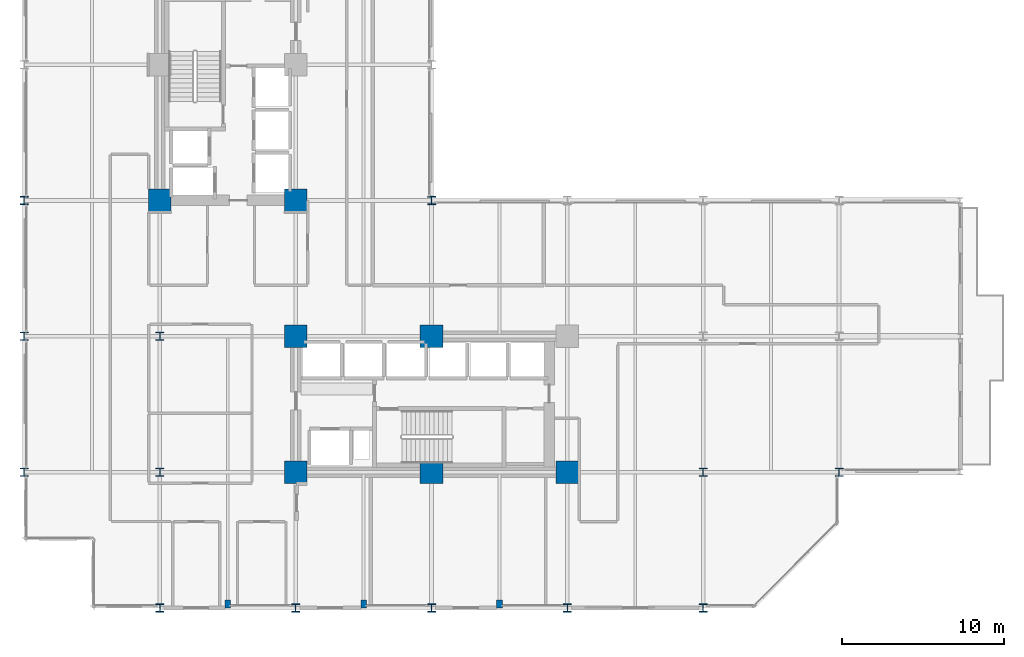
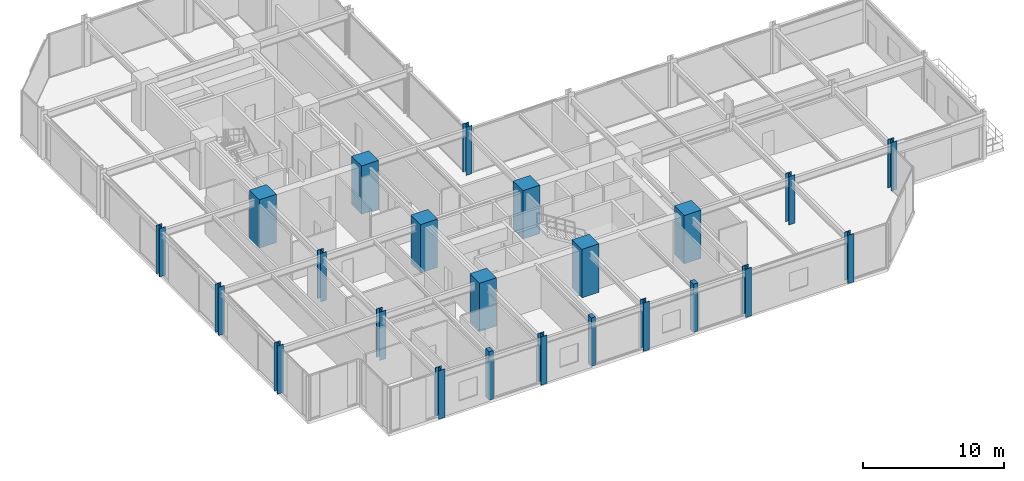
# One storey, part 1 of 26: 23 columns.
"""IFC4 building model written with IfcOpenShell, lengths in metres."""

from ifc_helpers import new_model, si_unit, direction, frame, origin, origin_2d, place, context, subcontext, project, spatial, rectangle, i_section, extrude, material, material_profile, profile_set, type_object, element, save


model = new_model("IFC4")

# Units and contexts
model_context = context("Model", 3, precision=1e-05, world=origin(), true_north=direction((0.0, 1.0)))
body_context = subcontext(model_context, "Body", "Model", "MODEL_VIEW")
ifc_project = project(units=[si_unit("LENGTHUNIT", "METRE"), si_unit("AREAUNIT", "SQUARE_METRE"), si_unit("VOLUMEUNIT", "CUBIC_METRE"), si_unit("PLANEANGLEUNIT", "RADIAN"), si_unit("MASSUNIT", "GRAM", prefix="KILO")], contexts=[model_context])

# Site, building, storey
site_placement = place(None, origin())
site = spatial("IfcSite", under=ifc_project, at=site_placement, CompositionType="ELEMENT")
building_placement = place(site_placement, origin())
building = spatial("IfcBuilding", under=site, at=building_placement, Name="Nerrivon Quay Data Exchange", CompositionType="ELEMENT")
storey_placement = place(building_placement, frame((0.0, 0.0, 75.199951171875)))
storey = spatial("IfcBuildingStorey", under=building, at=storey_placement, Name="L17", CompositionType="ELEMENT", Elevation=75.199951171875)

# Columns
ifc_material_1 = material(Name="Concrete N80 (80 MPa)", Category="concrete")
ifc_material_profile_1 = material_profile(ifc_material_1, rectangle(XDim=1.39990234375, YDim=1.39990234375, at=origin_2d()), Name="RC-COL-1400x1400")
ifc_profile_set_1 = profile_set([ifc_material_profile_1], Name="Concrete N80 (80 MPa)")
column_type_1 = type_object("IfcColumnType", Name="COL-C2-1400", PredefinedType="COLUMN", material=ifc_profile_set_1)
for number, where, z_axis, x_axis, name in (
    (1, (8.39990234375, 25.199951171875, 0.0), (0.0, 0.0, 1.0), (1.0, 0.0, 0.0), "L17 Column (8.4,25.2)"),
    (2, (16.800048828125, 8.39990234375, 0.0), (0.0, 0.0, 1.0), (1.0, 0.0, 0.0), "L17 Column (16.8,8.4)"),
    (3, (16.800048828125, 16.800048828125, 0.0), (0.0, 0.0, 1.0), (1.0, 0.0, 0.0), "L17 Column (16.8,16.8)"),
    (4, (16.800048828125, 25.199951171875, 0.0), (0.0, 0.0, 1.0), (1.0, 0.0, 0.0), "L17 Column (16.8,25.2)"),
    (5, (25.199951171875, 8.39990234375, 0.0), (0.0, 0.0, 1.0), (1.0, 0.0, 0.0), "L17 Column (25.2,8.4)"),
    (6, (25.199951171875, 16.800048828125, 0.0), (0.0, 0.0, 1.0), (1.0, 0.0, 0.0), "L17 Column (25.2,16.8)"),
    (7, (33.60009765625, 8.39990234375, 0.0), (0.0, 0.0, 1.0), (1.0, 0.0, 0.0), "L17 Column (33.6,8.4)"),
):
    element("IfcColumn", number, at=place(storey_placement, frame(where, z_axis=z_axis, x_axis=x_axis)), inside=storey, type_object=column_type_1, Name=name, PredefinedType="COLUMN", context=body_context, shape_type="SweptSolid", body=[
        extrude(rectangle(XDim=1.39990234375, YDim=1.39990234375, at=origin_2d()), origin(), (0.0, 0.0, 1.0), 4.199951171875),
    ])
ifc_material_2 = material(Name="Steel Grade 350", Category="steel")
ifc_material_profile_2 = material_profile(ifc_material_2, i_section(OverallWidth=0.5, OverallDepth=0.5, WebThickness=0.028076171875, FlangeThickness=0.0400390625, at=origin_2d()), Name="500WC440")
ifc_profile_set_2 = profile_set([ifc_material_profile_2], Name="Steel Grade 350")
column_type_2 = type_object("IfcColumnType", Name="COL-SC1-500WC", PredefinedType="COLUMN", material=ifc_profile_set_2)
for number, where, z_axis, x_axis, name in (
    (8, (0.0, 8.39990234375, 0.0), (0.0, 0.0, 1.0), (1.0, 0.0, 0.0), "L17 Column (0.0,8.4)"),
    (9, (0.0, 16.800048828125, 0.0), (0.0, 0.0, 1.0), (1.0, 0.0, 0.0), "L17 Column (0.0,16.8)"),
    (10, (0.0, 25.199951171875, 0.0), (0.0, 0.0, 1.0), (1.0, 0.0, 0.0), "L17 Column (0.0,25.2)"),
    (11, (8.39990234375, 0.0, 0.0), (0.0, 0.0, 1.0), (1.0, 0.0, 0.0), "L17 Column (8.4,0.0)"),
    (12, (8.39990234375, 8.39990234375, 0.0), (0.0, 0.0, 1.0), (1.0, 0.0, 0.0), "L17 Column (8.4,8.4)"),
    (13, (8.39990234375, 16.800048828125, 0.0), (0.0, 0.0, 1.0), (1.0, 0.0, 0.0), "L17 Column (8.4,16.8)"),
    (14, (16.800048828125, 0.0, 0.0), (0.0, 0.0, 1.0), (1.0, 0.0, 0.0), "L17 Column (16.8,0.0)"),
    (15, (25.199951171875, 0.0, 0.0), (0.0, 0.0, 1.0), (1.0, 0.0, 0.0), "L17 Column (25.2,0.0)"),
    (16, (25.199951171875, 25.199951171875, 0.0), (0.0, 0.0, 1.0), (1.0, 0.0, 0.0), "L17 Column (25.2,25.2)"),
    (17, (33.60009765625, 0.0, 0.0), (0.0, 0.0, 1.0), (1.0, 0.0, 0.0), "L17 Column (33.6,0.0)"),
    (18, (42.0, 0.0, 0.0), (0.0, 0.0, 1.0), (1.0, 0.0, 0.0), "L17 Column (42.0,0.0)"),
    (19, (42.0, 8.39990234375, 0.0), (0.0, 0.0, 1.0), (1.0, 0.0, 0.0), "L17 Column (42.0,8.4)"),
    (20, (50.39990234375, 8.39990234375, 0.0), (0.0, 0.0, 1.0), (1.0, 0.0, 0.0), "L17 Column (50.4,8.4)"),
):
    element("IfcColumn", number, at=place(storey_placement, frame(where, z_axis=z_axis, x_axis=x_axis)), inside=storey, type_object=column_type_2, Name=name, PredefinedType="COLUMN", context=body_context, shape_type="SweptSolid", body=[
        extrude(i_section(OverallWidth=0.5, OverallDepth=0.5, WebThickness=0.028076171875, FlangeThickness=0.0400390625, at=origin_2d()), origin(), (0.0, 0.0, 1.0), 4.199951171875),
    ])
ifc_material_3 = material(Name="Concrete N50 (50 MPa)", Category="concrete")
ifc_material_profile_3 = material_profile(ifc_material_3, rectangle(XDim=0.35009765625, YDim=0.5, at=origin_2d()), Name="RC-PIL-500x350")
ifc_profile_set_3 = profile_set([ifc_material_profile_3], Name="Concrete N50 (50 MPa)")
column_type_3 = type_object("IfcColumnType", Name="PIL-P2-500x350", PredefinedType="PILASTER", material=ifc_profile_set_3)
for number, where, z_axis, x_axis, name in (
    (21, (12.60009765625, 0.25, 0.0), (0.0, 0.0, 1.0), (1.0, 0.0, 0.0), "L17 Facade Pilaster (12.6)"),
    (22, (21.0, 0.25, 0.0), (0.0, 0.0, 1.0), (1.0, 0.0, 0.0), "L17 Facade Pilaster (21.0)"),
    (23, (29.39990234375, 0.25, 0.0), (0.0, 0.0, 1.0), (1.0, 0.0, 0.0), "L17 Facade Pilaster (29.4)"),
):
    element("IfcColumn", number, at=place(storey_placement, frame(where, z_axis=z_axis, x_axis=x_axis)), inside=storey, type_object=column_type_3, Name=name, PredefinedType="PILASTER", context=body_context, shape_type="SweptSolid", body=[
        extrude(rectangle(XDim=0.35009765625, YDim=0.5, at=origin_2d()), origin(), (0.0, 0.0, 1.0), 4.199951171875),
    ])

save(model, "model.ifc")
